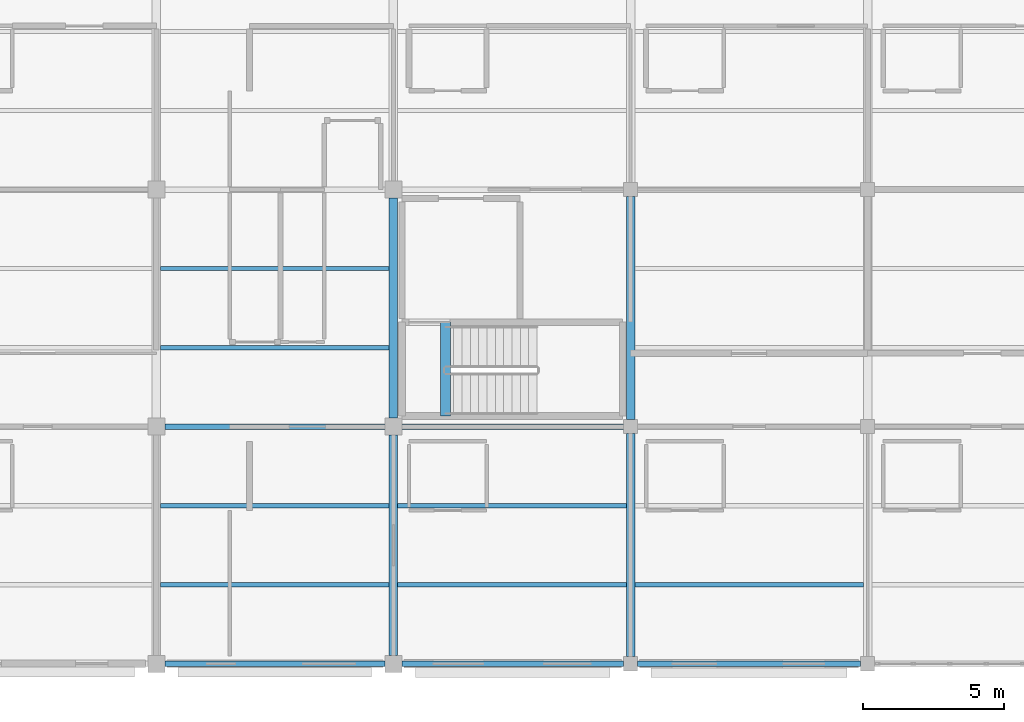
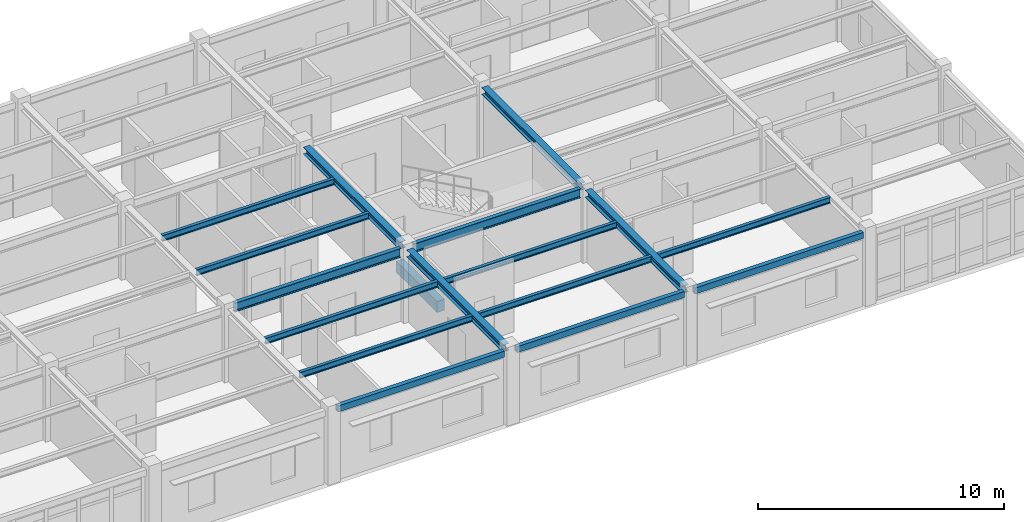
# One storey, part 30 of 86: 17 beams.
"""IFC4 building model written with IfcOpenShell, lengths in metres."""

from ifc_helpers import new_model, si_unit, direction, frame, origin, origin_2d, place, context, subcontext, project, spatial, rectangle, hollow_rectangle, i_section, extrude, material, material_profile, profile_set, type_object, element, save


model = new_model("IFC4")

# Units and contexts
model_context = context("Model", 3, precision=1e-05, world=origin(), true_north=direction((0.0, 1.0)))
body_context = subcontext(model_context, "Body", "Model", "MODEL_VIEW")
ifc_project = project(units=[si_unit("LENGTHUNIT", "METRE"), si_unit("AREAUNIT", "SQUARE_METRE"), si_unit("VOLUMEUNIT", "CUBIC_METRE"), si_unit("PLANEANGLEUNIT", "RADIAN"), si_unit("MASSUNIT", "GRAM", prefix="KILO")], contexts=[model_context])

# Site, building, storey
site_placement = place(None, origin())
site = spatial("IfcSite", under=ifc_project, at=site_placement, CompositionType="ELEMENT")
building_placement = place(site_placement, origin())
building = spatial("IfcBuilding", under=site, at=building_placement, Name="Bramfleet General Hospital", CompositionType="ELEMENT")
storey_placement = place(building_placement, frame((0.0, 0.0, 18.60009765625)))
storey = spatial("IfcBuildingStorey", under=building, at=storey_placement, Name="L04", CompositionType="ELEMENT", Elevation=18.60009765625)

# Beams
ifc_material_1 = material(Name="Steel S355", Category="steel")
ifc_material_profile_1 = material_profile(ifc_material_1, i_section(OverallWidth=0.300048828125, OverallDepth=0.35009765625, WebThickness=0.010009765625, FlangeThickness=0.017578125, FilletRadius=0.027099609375, at=origin_2d()), Name="HEA 360")
ifc_profile_set_1 = profile_set([ifc_material_profile_1], Name="Steel S355")
beam_type_1 = type_object("IfcBeamType", Name="BM-HEA360", PredefinedType="BEAM", material=ifc_profile_set_1)
for number, where, z_axis, x_axis, name in (
    (1, (142.800048828125, 0.300048828125, 3.44482421875), (0.0, 1.0, 0.0), (-1.0, 0.0, 0.0), "L04 Grid Beam Y 17-00"),
    (2, (142.800048828125, 8.699951171875, 3.44482421875), (0.0, 1.0, 0.0), (-1.0, 0.0, 0.0), "L04 Grid Beam Y 17-01"),
):
    element("IfcBeam", number, at=place(storey_placement, frame(where, z_axis=z_axis, x_axis=x_axis)), inside=storey, type_object=beam_type_1, Name=name, PredefinedType="BEAM", context=body_context, shape_type="SweptSolid", body=[
        extrude(i_section(OverallWidth=0.300048828125, OverallDepth=0.35009765625, WebThickness=0.010009765625, FlangeThickness=0.017578125, FilletRadius=0.027099609375, at=origin_2d()), origin(), (0.0, 0.0, 1.0), 7.800048828125),
    ])
beam_1_placement = place(storey_placement, frame((151.199951171875, 0.25, 3.434814453125), z_axis=(0.0, 1.0, 0.0), x_axis=(-1.0, 0.0, 0.0)))
element("IfcBeam", 3, at=beam_1_placement, inside=storey, type_object=beam_type_1, Name="L04 Grid Beam Y 18-00", PredefinedType="BEAM", context=body_context, shape_type="SweptSolid", body=[
    extrude(i_section(OverallWidth=0.300048828125, OverallDepth=0.35009765625, WebThickness=0.010009765625, FlangeThickness=0.017578125, FilletRadius=0.027099609375, at=origin_2d()), origin(), (0.0, 0.0, 1.0), 7.89990234375),
])
beam_2_placement = place(storey_placement, frame((151.199951171875, 8.64990234375, 3.434814453125), z_axis=(0.0, 1.0, 0.0), x_axis=(-1.0, 0.0, 0.0)))
element("IfcBeam", 4, at=beam_2_placement, inside=storey, type_object=beam_type_1, Name="L04 Grid Beam Y 18-01", PredefinedType="BEAM", context=body_context, shape_type="SweptSolid", body=[
    extrude(i_section(OverallWidth=0.300048828125, OverallDepth=0.35009765625, WebThickness=0.010009765625, FlangeThickness=0.017578125, FilletRadius=0.027099609375, at=origin_2d()), origin(), (0.0, 0.0, 1.0), 7.900146484375),
])
ifc_material_profile_2 = material_profile(ifc_material_1, i_section(OverallWidth=0.14990234375, OverallDepth=0.300048828125, WebThickness=0.007080078125, FlangeThickness=0.0107421875, FilletRadius=0.014892578125, at=origin_2d()), Name="IPE 300")
ifc_profile_set_2 = profile_set([ifc_material_profile_2], Name="Steel S355")
beam_type_2 = type_object("IfcBeamType", Name="BM-IPE300", PredefinedType="JOIST", material=ifc_profile_set_2)
for number, where, z_axis, x_axis, name in (
    (5, (134.550048828125, 2.800048828125, 3.469970703125), (1.0, 0.0, 0.0), (0.0, 1.0, 0.0), "L04 Secondary Joist 16-00-1"),
    (6, (134.550048828125, 5.60009765625, 3.469970703125), (1.0, 0.0, 0.0), (0.0, 1.0, 0.0), "L04 Secondary Joist 16-00-2"),
    (7, (134.550048828125, 11.199951171875, 3.469970703125), (1.0, 0.0, 0.0), (0.0, 1.0, 0.0), "L04 Secondary Joist 16-01-1"),
    (8, (134.550048828125, 14.0, 3.469970703125), (1.0, 0.0, 0.0), (0.0, 1.0, 0.0), "L04 Secondary Joist 16-01-2"),
):
    element("IfcBeam", number, at=place(storey_placement, frame(where, z_axis=z_axis, x_axis=x_axis)), inside=storey, type_object=beam_type_2, Name=name, PredefinedType="JOIST", context=body_context, shape_type="SweptSolid", body=[
        extrude(i_section(OverallWidth=0.14990234375, OverallDepth=0.300048828125, WebThickness=0.007080078125, FlangeThickness=0.0107421875, FilletRadius=0.014892578125, at=origin_2d()), origin(), (0.0, 0.0, 1.0), 8.099853515625),
    ])
for number, where, z_axis, x_axis, name in (
    (9, (142.949951171875, 2.800048828125, 3.469970703125), (1.0, 0.0, 0.0), (0.0, 1.0, 0.0), "L04 Secondary Joist 17-00-1"),
    (10, (142.949951171875, 5.60009765625, 3.469970703125), (1.0, 0.0, 0.0), (0.0, 1.0, 0.0), "L04 Secondary Joist 17-00-2"),
):
    element("IfcBeam", number, at=place(storey_placement, frame(where, z_axis=z_axis, x_axis=x_axis)), inside=storey, type_object=beam_type_2, Name=name, PredefinedType="JOIST", context=body_context, shape_type="SweptSolid", body=[
        extrude(i_section(OverallWidth=0.14990234375, OverallDepth=0.300048828125, WebThickness=0.007080078125, FlangeThickness=0.0107421875, FilletRadius=0.014892578125, at=origin_2d()), origin(), (0.0, 0.0, 1.0), 8.10009765625),
    ])
beam_3_placement = place(storey_placement, frame((151.35009765625, 2.800048828125, 3.4599609375), z_axis=(1.0, 0.0, 0.0), x_axis=(0.0, 1.0, 0.0)))
element("IfcBeam", 11, at=beam_3_placement, inside=storey, type_object=beam_type_2, Name="L04 Secondary Joist 18-00-1", PredefinedType="JOIST", context=body_context, shape_type="SweptSolid", body=[
    extrude(i_section(OverallWidth=0.14990234375, OverallDepth=0.300048828125, WebThickness=0.007080078125, FlangeThickness=0.0107421875, FilletRadius=0.014892578125, at=origin_2d()), origin(), (0.0, 0.0, 1.0), 8.099853515625),
])
ifc_material_profile_3 = material_profile(ifc_material_1, i_section(OverallWidth=0.18994140625, OverallDepth=0.449951171875, WebThickness=0.009521484375, FlangeThickness=0.0146484375, FilletRadius=0.02099609375, at=origin_2d()), Name="IPE 450")
ifc_profile_set_3 = profile_set([ifc_material_profile_3], Name="Steel S355")
beam_type_3 = type_object("IfcBeamType", Name="BM-IPE450", PredefinedType="BEAM", material=ifc_profile_set_3)
beam_4_placement = place(storey_placement, frame((134.699951171875, 8.39990234375, 3.39501953125), z_axis=(1.0, 0.0, 0.0), x_axis=(0.0, 1.0, 0.0)))
element("IfcBeam", 12, at=beam_4_placement, inside=storey, type_object=beam_type_3, Name="L04 Grid Beam X 16-01", PredefinedType="BEAM", context=body_context, shape_type="SweptSolid", body=[
    extrude(i_section(OverallWidth=0.18994140625, OverallDepth=0.449951171875, WebThickness=0.009521484375, FlangeThickness=0.0146484375, FilletRadius=0.02099609375, at=origin_2d()), origin(), (0.0, 0.0, 1.0), 7.800048828125),
])
beam_5_placement = place(storey_placement, frame((143.10009765625, 8.39990234375, 3.39501953125), z_axis=(1.0, 0.0, 0.0), x_axis=(0.0, 1.0, 0.0)))
element("IfcBeam", 13, at=beam_5_placement, inside=storey, type_object=beam_type_3, Name="L04 Grid Beam X 17-01", PredefinedType="BEAM", context=body_context, shape_type="SweptSolid", body=[
    extrude(i_section(OverallWidth=0.18994140625, OverallDepth=0.449951171875, WebThickness=0.009521484375, FlangeThickness=0.0146484375, FilletRadius=0.02099609375, at=origin_2d()), origin(), (0.0, 0.0, 1.0), 7.849853515625),
])
ifc_material_2 = material(Name="Concrete C35/45", Category="concrete")
ifc_material_profile_4 = material_profile(ifc_material_2, rectangle(XDim=0.35009765625, YDim=0.550048828125, at=origin_2d()), Name="RC BM 550x350")
ifc_profile_set_4 = profile_set([ifc_material_profile_4], Name="Concrete C35/45")
beam_type_4 = type_object("IfcBeamType", Name="BM-RC550", PredefinedType="BEAM", material=ifc_profile_set_4)
beam_6_placement = place(storey_placement, frame((144.639892578125, 8.780029296875, -0.275146484375), z_axis=(0.0, 1.0, 0.0), x_axis=(-1.0, 0.0, 0.0)))
element("IfcBeam", 14, at=beam_6_placement, inside=storey, type_object=beam_type_4, Name="L04 C10 Stairwell Trimmer Beam", PredefinedType="BEAM", context=body_context, shape_type="SweptSolid", body=[
    extrude(rectangle(XDim=0.35009765625, YDim=0.550048828125, at=origin_2d()), origin(), (0.0, 0.0, 1.0), 3.320068359375),
])
ifc_material_profile_5 = material_profile(ifc_material_1, hollow_rectangle(XDim=0.199951171875, YDim=0.300048828125, WallThickness=0.012451171875, at=origin_2d()), Name="RHS 300x200x12.5")
ifc_profile_set_5 = profile_set([ifc_material_profile_5], Name="Steel S355")
beam_type_5 = type_object("IfcBeamType", Name="BM-RHS300", PredefinedType="SPANDREL", material=ifc_profile_set_5)
beam_7_placement = place(storey_placement, frame((134.699951171875, 0.0, 3.469970703125), z_axis=(1.0, 0.0, 0.0), x_axis=(0.0, 1.0, 0.0)))
element("IfcBeam", 15, at=beam_7_placement, inside=storey, type_object=beam_type_5, Name="L04 Grid Beam X 16-00", PredefinedType="SPANDREL", context=body_context, shape_type="SweptSolid", body=[
    extrude(hollow_rectangle(XDim=0.199951171875, YDim=0.300048828125, WallThickness=0.012451171875, at=origin_2d()), origin(), (0.0, 0.0, 1.0), 7.800048828125),
])
beam_8_placement = place(storey_placement, frame((143.10009765625, 0.0, 3.469970703125), z_axis=(1.0, 0.0, 0.0), x_axis=(0.0, 1.0, 0.0)))
element("IfcBeam", 16, at=beam_8_placement, inside=storey, type_object=beam_type_5, Name="L04 Grid Beam X 17-00", PredefinedType="SPANDREL", context=body_context, shape_type="SweptSolid", body=[
    extrude(hollow_rectangle(XDim=0.199951171875, YDim=0.300048828125, WallThickness=0.012451171875, at=origin_2d()), origin(), (0.0, 0.0, 1.0), 7.849853515625),
])
beam_9_placement = place(storey_placement, frame((151.449951171875, 0.0, 3.4599609375), z_axis=(1.0, 0.0, 0.0), x_axis=(0.0, 1.0, 0.0)))
element("IfcBeam", 17, at=beam_9_placement, inside=storey, type_object=beam_type_5, Name="L04 Grid Beam X 18-00", PredefinedType="SPANDREL", context=body_context, shape_type="SweptSolid", body=[
    extrude(hollow_rectangle(XDim=0.199951171875, YDim=0.300048828125, WallThickness=0.012451171875, at=origin_2d()), origin(), (0.0, 0.0, 1.0), 7.900146484375),
])

save(model, "model.ifc")
